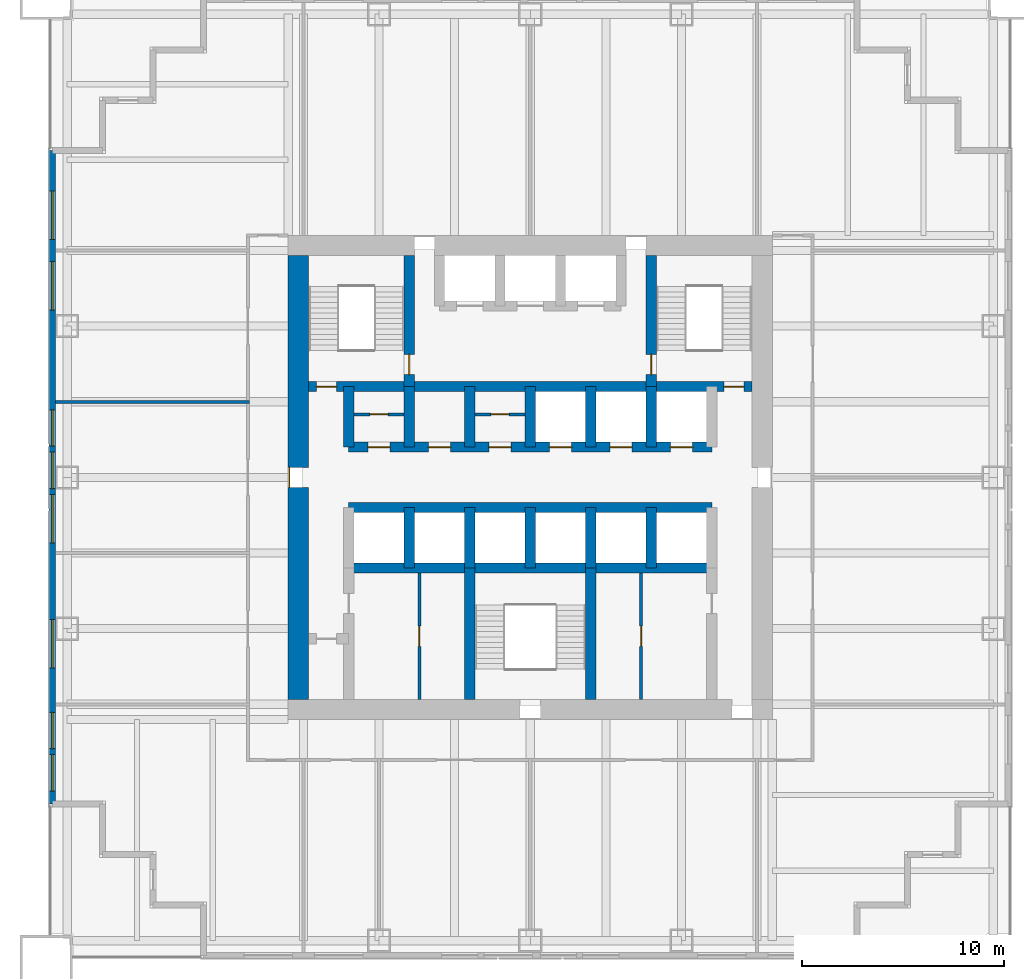
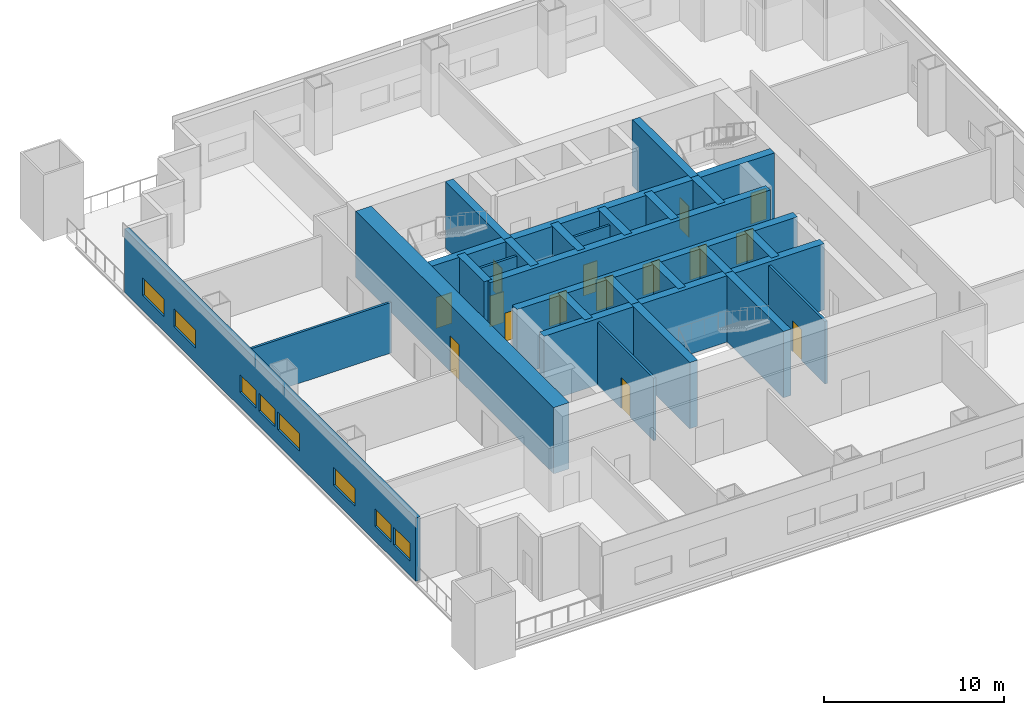
# One storey, part 3 of 7: 26 walls, 15 doors, 8 windows, 23 openings.
"""IFC4 building model written with IfcOpenShell, lengths in metres."""

from ifc_helpers import new_model, si_unit, direction, frame, frame_2d, origin, place, context, subcontext, project, spatial, rectangle, extrude, material, layer, layer_set, type_object, element, fill, save


model = new_model("IFC4")

# Units and contexts
model_context = context("Model", 3, precision=1e-05, world=origin(), true_north=direction((0.0, 1.0)))
body_context = subcontext(model_context, "Body", "Model", "MODEL_VIEW")
ifc_project = project(units=[si_unit("LENGTHUNIT", "METRE"), si_unit("AREAUNIT", "SQUARE_METRE"), si_unit("VOLUMEUNIT", "CUBIC_METRE"), si_unit("PLANEANGLEUNIT", "RADIAN"), si_unit("MASSUNIT", "GRAM", prefix="KILO")], contexts=[model_context])

# Site, building, storey
site_placement = place(None, origin())
site = spatial("IfcSite", under=ifc_project, at=site_placement, CompositionType="ELEMENT")
building_placement = place(site_placement, origin())
building = spatial("IfcBuilding", under=site, at=building_placement, Name="Tarangal Relay Tower", CompositionType="ELEMENT")
storey_placement = place(building_placement, frame((0.0, 0.0, 149.39990234375)))
storey = spatial("IfcBuildingStorey", under=building, at=storey_placement, Name="L30", CompositionType="ELEMENT", Elevation=149.39990234375)

# Wall, openings, doors
ifc_material_1 = material(Name="Concrete fc' 60 MPa", Category="concrete")
ifc_layer_1 = layer(ifc_material_1, 0.5)
ifc_layer_set_1 = layer_set([ifc_layer_1], Name="Core inner wall 500")
wall_type_1 = type_object("IfcWallType", Name="Core inner wall 500", PredefinedType="SHEAR", material=ifc_layer_set_1)
wall_1_placement = place(storey_placement, frame((-11.0, 4.5, 0.0), z_axis=(0.0, 0.0, 1.0), x_axis=(1.0, 0.0, 0.0)))
wall_1 = element("IfcWall", 1, at=wall_1_placement, inside=storey, type_object=wall_type_1, Name="Core wall Y45 L30", PredefinedType="SHEAR", context=body_context, shape_type="SweptSolid", body=[
    extrude(rectangle(XDim=22.0, YDim=0.5, at=frame_2d((11.0, 0.0))), origin(), (0.0, 0.0, 1.0), 4.5),
])
opening_1_placement = place(wall_1_placement, frame((0.39990234375, 0.0, 0.0)))
opening_1 = element("IfcOpeningElement", 2, at=opening_1_placement, cuts=wall_1, Name="Opening FD1", PredefinedType="OPENING", context=body_context, shape_type="SweptSolid", body=[
    extrude(rectangle(XDim=1.0, YDim=2.10009765625, at=frame_2d((0.5, 1.050048828125))), frame((0.0, 0.260009765625, 0.0), z_axis=(0.0, -1.0, 0.0), x_axis=(1.0, 0.0, 0.0)), (0.0, 0.0, 1.0), 0.52001953125),
])
opening_2_placement = place(wall_1_placement, frame((20.60009765625, 0.0, 0.0)))
opening_2 = element("IfcOpeningElement", 3, at=opening_2_placement, cuts=wall_1, Name="Opening FD1", PredefinedType="OPENING", context=body_context, shape_type="SweptSolid", body=[
    extrude(rectangle(XDim=1.0, YDim=2.10009765625, at=frame_2d((0.5, 1.050048828125))), frame((0.0, 0.260009765625, 0.0), z_axis=(0.0, -1.0, 0.0), x_axis=(1.0, 0.0, 0.0)), (0.0, 0.0, 1.0), 0.52001953125),
])
ifc_material_2 = material(Name="Steel door with hardwood frame", Category="steel")
door_type_1 = type_object("IfcDoorType", Name="Fire door 1000 x 2100", OperationType="SINGLE_SWING_LEFT", PredefinedType="DOOR", material=ifc_material_2)
door_1_placement = place(opening_1_placement, origin())
door_1 = element("IfcDoor", 4, at=door_1_placement, inside=storey, type_object=door_type_1, Name="Stair ST-A door from corridor L30", OperationType="SINGLE_SWING_LEFT", OverallHeight=2.10009765625, OverallWidth=1.0, PredefinedType="DOOR", context=body_context, shape_type="SweptSolid", body=[
    extrude(rectangle(XDim=1.0, YDim=2.10009765625, at=frame_2d((0.5, 1.050048828125))), frame((0.0, 0.02490234375, 0.0), z_axis=(0.0, -1.0, 0.0), x_axis=(1.0, 0.0, 0.0)), (0.0, 0.0, 1.0), 0.050048828125),
])
fill(opening_1, door_1)
door_2_placement = place(opening_2_placement, origin())
door_2 = element("IfcDoor", 5, at=door_2_placement, inside=storey, type_object=door_type_1, Name="Stair ST-B door from corridor L30", OperationType="SINGLE_SWING_LEFT", OverallHeight=2.10009765625, OverallWidth=1.0, PredefinedType="DOOR", context=body_context, shape_type="SweptSolid", body=[
    extrude(rectangle(XDim=1.0, YDim=2.10009765625, at=frame_2d((0.5, 1.050048828125))), frame((0.0, 0.02490234375, 0.0), z_axis=(0.0, -1.0, 0.0), x_axis=(1.0, 0.0, 0.0)), (0.0, 0.0, 1.0), 0.050048828125),
])
fill(opening_2, door_2)

wall_2_placement = place(storey_placement, frame((-9.0, 1.5, 0.0), z_axis=(0.0, 0.0, 1.0), x_axis=(1.0, 0.0, 0.0)))
wall_2 = element("IfcWall", 6, at=wall_2_placement, inside=storey, type_object=wall_type_1, Name="Core wall Y15 L30", PredefinedType="SHEAR", context=body_context, shape_type="SweptSolid", body=[
    extrude(rectangle(XDim=18.0, YDim=0.5, at=frame_2d((9.0, 0.0))), origin(), (0.0, 0.0, 1.0), 4.5),
])
opening_3_placement = place(wall_2_placement, frame((9.949951171875, 0.0, 0.0)))
opening_3 = element("IfcOpeningElement", 7, at=opening_3_placement, cuts=wall_2, Name="Opening LD1", PredefinedType="OPENING", context=body_context, shape_type="SweptSolid", body=[
    extrude(rectangle(XDim=1.10009765625, YDim=2.10009765625, at=frame_2d((0.550048828125, 1.050048828125))), frame((0.0, 0.260009765625, 0.0), z_axis=(0.0, -1.0, 0.0), x_axis=(1.0, 0.0, 0.0)), (0.0, 0.0, 1.0), 0.52001953125),
])
opening_4_placement = place(wall_2_placement, frame((12.949951171875, 0.0, 0.0)))
opening_4 = element("IfcOpeningElement", 8, at=opening_4_placement, cuts=wall_2, Name="Opening LD1", PredefinedType="OPENING", context=body_context, shape_type="SweptSolid", body=[
    extrude(rectangle(XDim=1.10009765625, YDim=2.10009765625, at=frame_2d((0.550048828125, 1.050048828125))), frame((0.0, 0.260009765625, 0.0), z_axis=(0.0, -1.0, 0.0), x_axis=(1.0, 0.0, 0.0)), (0.0, 0.0, 1.0), 0.52001953125),
])
opening_5_placement = place(wall_2_placement, frame((15.949951171875, 0.0, 0.0)))
opening_5 = element("IfcOpeningElement", 9, at=opening_5_placement, cuts=wall_2, Name="Opening LD1", PredefinedType="OPENING", context=body_context, shape_type="SweptSolid", body=[
    extrude(rectangle(XDim=1.10009765625, YDim=2.10009765625, at=frame_2d((0.550048828125, 1.050048828125))), frame((0.0, 0.260009765625, 0.0), z_axis=(0.0, -1.0, 0.0), x_axis=(1.0, 0.0, 0.0)), (0.0, 0.0, 1.0), 0.52001953125),
])
opening_6_placement = place(wall_2_placement, frame((0.949951171875, 0.0, 0.0)))
opening_6 = element("IfcOpeningElement", 10, at=opening_6_placement, cuts=wall_2, Name="Opening D4", PredefinedType="OPENING", context=body_context, shape_type="SweptSolid", body=[
    extrude(rectangle(XDim=1.10009765625, YDim=2.10009765625, at=frame_2d((0.550048828125, 1.050048828125))), frame((0.0, 0.260009765625, 0.0), z_axis=(0.0, -1.0, 0.0), x_axis=(1.0, 0.0, 0.0)), (0.0, 0.0, 1.0), 0.52001953125),
])
opening_7_placement = place(wall_2_placement, frame((3.949951171875, 0.0, 0.0)))
opening_7 = element("IfcOpeningElement", 11, at=opening_7_placement, cuts=wall_2, Name="Opening D4", PredefinedType="OPENING", context=body_context, shape_type="SweptSolid", body=[
    extrude(rectangle(XDim=1.10009765625, YDim=2.10009765625, at=frame_2d((0.550048828125, 1.050048828125))), frame((0.0, 0.260009765625, 0.0), z_axis=(0.0, -1.0, 0.0), x_axis=(1.0, 0.0, 0.0)), (0.0, 0.0, 1.0), 0.52001953125),
])
opening_8_placement = place(wall_2_placement, frame((6.949951171875, 0.0, 0.0)))
opening_8 = element("IfcOpeningElement", 12, at=opening_8_placement, cuts=wall_2, Name="Opening D4", PredefinedType="OPENING", context=body_context, shape_type="SweptSolid", body=[
    extrude(rectangle(XDim=1.10009765625, YDim=2.10009765625, at=frame_2d((0.550048828125, 1.050048828125))), frame((0.0, 0.260009765625, 0.0), z_axis=(0.0, -1.0, 0.0), x_axis=(1.0, 0.0, 0.0)), (0.0, 0.0, 1.0), 0.52001953125),
])
door_type_2 = type_object("IfcDoorType", Name="Core room door 1100 x 2100", OperationType="SINGLE_SWING_RIGHT", PredefinedType="DOOR", material=ifc_material_2)
door_3_placement = place(opening_6_placement, origin())
door_3 = element("IfcDoor", 13, at=door_3_placement, inside=storey, type_object=door_type_2, Name="Door D4 to it room L30-D1", OperationType="SINGLE_SWING_RIGHT", OverallHeight=2.10009765625, OverallWidth=1.10009765625, PredefinedType="DOOR", context=body_context, shape_type="SweptSolid", body=[
    extrude(rectangle(XDim=1.10009765625, YDim=2.10009765625, at=frame_2d((0.550048828125, 1.050048828125))), frame((0.0, 0.02490234375, 0.0), z_axis=(0.0, -1.0, 0.0), x_axis=(1.0, 0.0, 0.0)), (0.0, 0.0, 1.0), 0.050048828125),
])
fill(opening_6, door_3)
door_4_placement = place(opening_7_placement, origin())
door_4 = element("IfcDoor", 14, at=door_4_placement, inside=storey, type_object=door_type_2, Name="Door D4 to back-of-house plant room L30-D2", OperationType="SINGLE_SWING_RIGHT", OverallHeight=2.10009765625, OverallWidth=1.10009765625, PredefinedType="DOOR", context=body_context, shape_type="SweptSolid", body=[
    extrude(rectangle(XDim=1.10009765625, YDim=2.10009765625, at=frame_2d((0.550048828125, 1.050048828125))), frame((0.0, 0.02490234375, 0.0), z_axis=(0.0, -1.0, 0.0), x_axis=(1.0, 0.0, 0.0)), (0.0, 0.0, 1.0), 0.050048828125),
])
fill(opening_7, door_4)
door_5_placement = place(opening_8_placement, origin())
door_5 = element("IfcDoor", 15, at=door_5_placement, inside=storey, type_object=door_type_2, Name="Door D4 to staff pantry L30-D3", OperationType="SINGLE_SWING_RIGHT", OverallHeight=2.10009765625, OverallWidth=1.10009765625, PredefinedType="DOOR", context=body_context, shape_type="SweptSolid", body=[
    extrude(rectangle(XDim=1.10009765625, YDim=2.10009765625, at=frame_2d((0.550048828125, 1.050048828125))), frame((0.0, 0.02490234375, 0.0), z_axis=(0.0, -1.0, 0.0), x_axis=(1.0, 0.0, 0.0)), (0.0, 0.0, 1.0), 0.050048828125),
])
fill(opening_8, door_5)
door_type_3 = type_object("IfcDoorType", Name="Lift landing door 1100 x 2100", OperationType="SLIDING_TO_LEFT", PredefinedType="DOOR", material=ifc_material_2)
door_6_placement = place(opening_3_placement, origin())
door_6 = element("IfcDoor", 16, at=door_6_placement, inside=storey, type_object=door_type_3, Name="Lift T1 landing door L30", OperationType="SLIDING_TO_LEFT", OverallHeight=2.10009765625, OverallWidth=1.10009765625, PredefinedType="DOOR", context=body_context, shape_type="SweptSolid", body=[
    extrude(rectangle(XDim=1.10009765625, YDim=2.10009765625, at=frame_2d((0.550048828125, 1.050048828125))), frame((0.0, 0.02490234375, 0.0), z_axis=(0.0, -1.0, 0.0), x_axis=(1.0, 0.0, 0.0)), (0.0, 0.0, 1.0), 0.050048828125),
])
fill(opening_3, door_6)
door_7_placement = place(opening_4_placement, origin())
door_7 = element("IfcDoor", 17, at=door_7_placement, inside=storey, type_object=door_type_3, Name="Lift T2 landing door L30", OperationType="SLIDING_TO_LEFT", OverallHeight=2.10009765625, OverallWidth=1.10009765625, PredefinedType="DOOR", context=body_context, shape_type="SweptSolid", body=[
    extrude(rectangle(XDim=1.10009765625, YDim=2.10009765625, at=frame_2d((0.550048828125, 1.050048828125))), frame((0.0, 0.02490234375, 0.0), z_axis=(0.0, -1.0, 0.0), x_axis=(1.0, 0.0, 0.0)), (0.0, 0.0, 1.0), 0.050048828125),
])
fill(opening_4, door_7)
door_8_placement = place(opening_5_placement, origin())
door_8 = element("IfcDoor", 18, at=door_8_placement, inside=storey, type_object=door_type_3, Name="Lift T3 landing door L30", OperationType="SLIDING_TO_LEFT", OverallHeight=2.10009765625, OverallWidth=1.10009765625, PredefinedType="DOOR", context=body_context, shape_type="SweptSolid", body=[
    extrude(rectangle(XDim=1.10009765625, YDim=2.10009765625, at=frame_2d((0.550048828125, 1.050048828125))), frame((0.0, 0.02490234375, 0.0), z_axis=(0.0, -1.0, 0.0), x_axis=(1.0, 0.0, 0.0)), (0.0, 0.0, 1.0), 0.050048828125),
])
fill(opening_5, door_8)

# Walls
for number, where, z_axis, x_axis, name in (
    (19, (-9.0, -1.5, 0.0), (0.0, 0.0, 1.0), (1.0, 0.0, 0.0), "Core wall YM15 L30"),
    (20, (-9.0, -4.5, 0.0), (0.0, 0.0, 1.0), (1.0, 0.0, 0.0), "Core wall YM45 L30"),
):
    element("IfcWall", number, at=place(storey_placement, frame(where, z_axis=z_axis, x_axis=x_axis)), inside=storey, type_object=wall_type_1, Name=name, PredefinedType="SHEAR", context=body_context, shape_type="SweptSolid", body=[
        extrude(rectangle(XDim=18.0, YDim=0.5, at=frame_2d((9.0, 0.0))), origin(), (0.0, 0.0, 1.0), 4.5),
    ])
for number, where, z_axis, x_axis, name in (
    (21, (-9.0, 1.5, 0.0), (0.0, 0.0, 1.0), (0.0, 1.0, 0.0), "Core wall XM9N L30"),
    (22, (-6.0, 1.5, 0.0), (0.0, 0.0, 1.0), (0.0, 1.0, 0.0), "Core wall XM6N L30"),
    (23, (-3.0, 1.5, 0.0), (0.0, 0.0, 1.0), (0.0, 1.0, 0.0), "Core wall XM3N L30"),
    (24, (0.0, 1.5, 0.0), (0.0, 0.0, 1.0), (0.0, 1.0, 0.0), "Core wall X0N L30"),
    (25, (3.0, 1.5, 0.0), (0.0, 0.0, 1.0), (0.0, 1.0, 0.0), "Core wall X3N L30"),
    (26, (6.0, 1.5, 0.0), (0.0, 0.0, 1.0), (0.0, 1.0, 0.0), "Core wall X6N L30"),
    (27, (-6.0, -4.5, 0.0), (0.0, 0.0, 1.0), (0.0, 1.0, 0.0), "Core wall XM6S L30"),
    (28, (-3.0, -4.5, 0.0), (0.0, 0.0, 1.0), (0.0, 1.0, 0.0), "Core wall XM3S L30"),
    (29, (0.0, -4.5, 0.0), (0.0, 0.0, 1.0), (0.0, 1.0, 0.0), "Core wall X0S L30"),
    (30, (3.0, -4.5, 0.0), (0.0, 0.0, 1.0), (0.0, 1.0, 0.0), "Core wall X3S L30"),
    (31, (6.0, -4.5, 0.0), (0.0, 0.0, 1.0), (0.0, 1.0, 0.0), "Core wall X6S L30"),
):
    element("IfcWall", number, at=place(storey_placement, frame(where, z_axis=z_axis, x_axis=x_axis)), inside=storey, type_object=wall_type_1, Name=name, PredefinedType="SHEAR", context=body_context, shape_type="SweptSolid", body=[
        extrude(rectangle(XDim=3.0, YDim=0.5, at=frame_2d((1.5, 0.0))), origin(), (0.0, 0.0, 1.0), 4.5),
    ])

# Wall, opening, door
wall_3_placement = place(storey_placement, frame((-6.0, 4.5, 0.0), z_axis=(0.0, 0.0, 1.0), x_axis=(0.0, 1.0, 0.0)))
wall_3 = element("IfcWall", 32, at=wall_3_placement, inside=storey, type_object=wall_type_1, Name="Core wall XM6 L30", PredefinedType="SHEAR", context=body_context, shape_type="SweptSolid", body=[
    extrude(rectangle(XDim=6.5, YDim=0.5, at=frame_2d((3.25, 0.0))), origin(), (0.0, 0.0, 1.0), 4.5),
])
opening_9_placement = place(wall_3_placement, frame((0.60009765625, 0.0, 0.0)))
opening_9 = element("IfcOpeningElement", 33, at=opening_9_placement, cuts=wall_3, Name="Opening FD1", PredefinedType="OPENING", context=body_context, shape_type="SweptSolid", body=[
    extrude(rectangle(XDim=1.0, YDim=2.10009765625, at=frame_2d((0.5, 1.050048828125))), frame((0.0, 0.260009765625, 0.0), z_axis=(0.0, -1.0, 0.0), x_axis=(1.0, 0.0, 0.0)), (0.0, 0.0, 1.0), 0.52001953125),
])
door_9_placement = place(opening_9_placement, origin())
door_9 = element("IfcDoor", 34, at=door_9_placement, inside=storey, type_object=door_type_1, Name="Stair ST-A door from fire-fighting lobby L30", OperationType="SINGLE_SWING_LEFT", OverallHeight=2.10009765625, OverallWidth=1.0, PredefinedType="DOOR", context=body_context, shape_type="SweptSolid", body=[
    extrude(rectangle(XDim=1.0, YDim=2.10009765625, at=frame_2d((0.5, 1.050048828125))), frame((0.0, 0.02490234375, 0.0), z_axis=(0.0, -1.0, 0.0), x_axis=(1.0, 0.0, 0.0)), (0.0, 0.0, 1.0), 0.050048828125),
])
fill(opening_9, door_9)

wall_4_placement = place(storey_placement, frame((6.0, 4.5, 0.0), z_axis=(0.0, 0.0, 1.0), x_axis=(0.0, 1.0, 0.0)))
wall_4 = element("IfcWall", 35, at=wall_4_placement, inside=storey, type_object=wall_type_1, Name="Core wall X6 L30", PredefinedType="SHEAR", context=body_context, shape_type="SweptSolid", body=[
    extrude(rectangle(XDim=6.5, YDim=0.5, at=frame_2d((3.25, 0.0))), origin(), (0.0, 0.0, 1.0), 4.5),
])
opening_10_placement = place(wall_4_placement, frame((0.60009765625, 0.0, 0.0)))
opening_10 = element("IfcOpeningElement", 36, at=opening_10_placement, cuts=wall_4, Name="Opening FD1", PredefinedType="OPENING", context=body_context, shape_type="SweptSolid", body=[
    extrude(rectangle(XDim=1.0, YDim=2.10009765625, at=frame_2d((0.5, 1.050048828125))), frame((0.0, 0.260009765625, 0.0), z_axis=(0.0, -1.0, 0.0), x_axis=(1.0, 0.0, 0.0)), (0.0, 0.0, 1.0), 0.52001953125),
])
door_10_placement = place(opening_10_placement, origin())
door_10 = element("IfcDoor", 37, at=door_10_placement, inside=storey, type_object=door_type_1, Name="Stair ST-B door from fire-fighting lobby L30", OperationType="SINGLE_SWING_LEFT", OverallHeight=2.10009765625, OverallWidth=1.0, PredefinedType="DOOR", context=body_context, shape_type="SweptSolid", body=[
    extrude(rectangle(XDim=1.0, YDim=2.10009765625, at=frame_2d((0.5, 1.050048828125))), frame((0.0, 0.02490234375, 0.0), z_axis=(0.0, -1.0, 0.0), x_axis=(1.0, 0.0, 0.0)), (0.0, 0.0, 1.0), 0.050048828125),
])
fill(opening_10, door_10)

# Walls
for number, where, z_axis, x_axis, name in (
    (38, (-3.0, -11.0, 0.0), (0.0, 0.0, 1.0), (0.0, 1.0, 0.0), "Core wall XM3W L30"),
    (39, (3.0, -11.0, 0.0), (0.0, 0.0, 1.0), (0.0, 1.0, 0.0), "Core wall X3W L30"),
):
    element("IfcWall", number, at=place(storey_placement, frame(where, z_axis=z_axis, x_axis=x_axis)), inside=storey, type_object=wall_type_1, Name=name, PredefinedType="SHEAR", context=body_context, shape_type="SweptSolid", body=[
        extrude(rectangle(XDim=6.5, YDim=0.5, at=frame_2d((3.25, 0.0))), origin(), (0.0, 0.0, 1.0), 4.5),
    ])

# Wall, opening, door
ifc_layer_2 = layer(ifc_material_1, 1.0)
ifc_layer_set_2 = layer_set([ifc_layer_2], Name="Core wall 1000")
wall_type_2 = type_object("IfcWallType", Name="Core wall 1000", PredefinedType="SHEAR", material=ifc_layer_set_2)
wall_5_placement = place(storey_placement, frame((-11.5, -11.0, 0.0), z_axis=(0.0, 0.0, 1.0), x_axis=(0.0, 1.0, 0.0)))
wall_5 = element("IfcWall", 40, at=wall_5_placement, inside=storey, type_object=wall_type_2, Name="Core wall W L30", PredefinedType="SHEAR", context=body_context, shape_type="SweptSolid", body=[
    extrude(rectangle(XDim=22.0, YDim=1.0, at=frame_2d((11.0, 0.0))), origin(), (0.0, 0.0, 1.0), 4.5),
])
opening_11_placement = place(wall_5_placement, frame((10.5, 0.0, 0.0)))
opening_11 = element("IfcOpeningElement", 41, at=opening_11_placement, cuts=wall_5, Name="Opening FD3", PredefinedType="OPENING", context=body_context, shape_type="SweptSolid", body=[
    extrude(rectangle(XDim=1.0, YDim=2.39990234375, at=frame_2d((0.5, 1.199951171875))), frame((0.0, 0.510009765625, 0.0), z_axis=(0.0, -1.0, 0.0), x_axis=(1.0, 0.0, 0.0)), (0.0, 0.0, 1.0), 1.02001953125),
])
door_type_4 = type_object("IfcDoorType", Name="Fire door 1000 x 2400 core entry", OperationType="SINGLE_SWING_RIGHT", PredefinedType="DOOR", material=ifc_material_2)
door_11_placement = place(opening_11_placement, origin())
door_11 = element("IfcDoor", 42, at=door_11_placement, inside=storey, type_object=door_type_4, Name="Core entry door west L30", OperationType="SINGLE_SWING_RIGHT", OverallHeight=2.39990234375, OverallWidth=1.0, PredefinedType="DOOR", context=body_context, shape_type="SweptSolid", body=[
    extrude(rectangle(XDim=1.0, YDim=2.39990234375, at=frame_2d((0.5, 1.199951171875))), frame((0.0, 0.48486328125, 0.0), z_axis=(0.0, -1.0, 0.0), x_axis=(1.0, 0.0, 0.0)), (0.0, 0.0, 1.0), 0.050048828125),
])
fill(opening_11, door_11)

# Wall, openings, windows
ifc_material_3 = material(Name="Insulated precast concrete fc' 40 MPa", Category="concrete")
ifc_layer_3 = layer(ifc_material_3, 0.300048828125)
ifc_layer_set_3 = layer_set([ifc_layer_3], Name="Insulated precast concrete fc' 40 MPa")
wall_type_3 = type_object("IfcWallType", Name="Facade wall precast 300", PredefinedType="SOLIDWALL", material=ifc_layer_set_3)
wall_6_placement = place(storey_placement, frame((-23.699951171875, -16.199951171875, 0.0), z_axis=(0.0, 0.0, 1.0), x_axis=(0.0, 1.0, 0.0)))
wall_6 = element("IfcWall", 43, at=wall_6_placement, inside=storey, type_object=wall_type_3, Name="Facade wall W facade L30", PredefinedType="SOLIDWALL", context=body_context, shape_type="SweptSolid", body=[
    extrude(rectangle(XDim=32.39990234375, YDim=0.300048828125, at=frame_2d((16.199951171875, 0.0))), origin(), (0.0, 0.0, 1.0), 4.300048828125),
])
opening_12_placement = place(wall_6_placement, frame((0.64990234375, 0.0, 1.0)))
opening_12 = element("IfcOpeningElement", 44, at=opening_12_placement, cuts=wall_6, Name="Opening WN5", PredefinedType="OPENING", context=body_context, shape_type="SweptSolid", body=[
    extrude(rectangle(XDim=1.800048828125, YDim=1.199951171875, at=frame_2d((0.89990234375, 0.60009765625))), frame((0.0, 0.159912109375, 0.0), z_axis=(0.0, -1.0, 0.0), x_axis=(1.0, 0.0, 0.0)), (0.0, 0.0, 1.0), 0.320068359375),
])
opening_13_placement = place(wall_6_placement, frame((2.75, 0.0, 1.0)))
opening_13 = element("IfcOpeningElement", 45, at=opening_13_placement, cuts=wall_6, Name="Opening WN5", PredefinedType="OPENING", context=body_context, shape_type="SweptSolid", body=[
    extrude(rectangle(XDim=1.800048828125, YDim=1.199951171875, at=frame_2d((0.89990234375, 0.60009765625))), frame((0.0, 0.159912109375, 0.0), z_axis=(0.0, -1.0, 0.0), x_axis=(1.0, 0.0, 0.0)), (0.0, 0.0, 1.0), 0.320068359375),
])
opening_14_placement = place(wall_6_placement, frame((6.75, 0.0, 1.0)))
opening_14 = element("IfcOpeningElement", 46, at=opening_14_placement, cuts=wall_6, Name="Opening WN1", PredefinedType="OPENING", context=body_context, shape_type="SweptSolid", body=[
    extrude(rectangle(XDim=2.39990234375, YDim=1.199951171875, at=frame_2d((1.199951171875, 0.60009765625))), frame((0.0, 0.159912109375, 0.0), z_axis=(0.0, -1.0, 0.0), x_axis=(1.0, 0.0, 0.0)), (0.0, 0.0, 1.0), 0.320068359375),
])
opening_15_placement = place(wall_6_placement, frame((12.949951171875, 0.0, 1.0)))
opening_15 = element("IfcOpeningElement", 47, at=opening_15_placement, cuts=wall_6, Name="Opening WN1", PredefinedType="OPENING", context=body_context, shape_type="SweptSolid", body=[
    extrude(rectangle(XDim=2.39990234375, YDim=1.199951171875, at=frame_2d((1.199951171875, 0.60009765625))), frame((0.0, 0.159912109375, 0.0), z_axis=(0.0, -1.0, 0.0), x_axis=(1.0, 0.0, 0.0)), (0.0, 0.0, 1.0), 0.320068359375),
])
opening_16_placement = place(wall_6_placement, frame((15.64990234375, 0.0, 1.0)))
opening_16 = element("IfcOpeningElement", 48, at=opening_16_placement, cuts=wall_6, Name="Opening WN5", PredefinedType="OPENING", context=body_context, shape_type="SweptSolid", body=[
    extrude(rectangle(XDim=1.800048828125, YDim=1.199951171875, at=frame_2d((0.89990234375, 0.60009765625))), frame((0.0, 0.159912109375, 0.0), z_axis=(0.0, -1.0, 0.0), x_axis=(1.0, 0.0, 0.0)), (0.0, 0.0, 1.0), 0.320068359375),
])
opening_17_placement = place(wall_6_placement, frame((17.75, 0.0, 1.0)))
opening_17 = element("IfcOpeningElement", 49, at=opening_17_placement, cuts=wall_6, Name="Opening WN5", PredefinedType="OPENING", context=body_context, shape_type="SweptSolid", body=[
    extrude(rectangle(XDim=1.800048828125, YDim=1.199951171875, at=frame_2d((0.89990234375, 0.60009765625))), frame((0.0, 0.159912109375, 0.0), z_axis=(0.0, -1.0, 0.0), x_axis=(1.0, 0.0, 0.0)), (0.0, 0.0, 1.0), 0.320068359375),
])
opening_18_placement = place(wall_6_placement, frame((24.5, 0.0, 1.0)))
opening_18 = element("IfcOpeningElement", 50, at=opening_18_placement, cuts=wall_6, Name="Opening WN1", PredefinedType="OPENING", context=body_context, shape_type="SweptSolid", body=[
    extrude(rectangle(XDim=2.39990234375, YDim=1.199951171875, at=frame_2d((1.199951171875, 0.60009765625))), frame((0.0, 0.159912109375, 0.0), z_axis=(0.0, -1.0, 0.0), x_axis=(1.0, 0.0, 0.0)), (0.0, 0.0, 1.0), 0.320068359375),
])
opening_19_placement = place(wall_6_placement, frame((28.0, 0.0, 1.0)))
opening_19 = element("IfcOpeningElement", 51, at=opening_19_placement, cuts=wall_6, Name="Opening WN1", PredefinedType="OPENING", context=body_context, shape_type="SweptSolid", body=[
    extrude(rectangle(XDim=2.39990234375, YDim=1.199951171875, at=frame_2d((1.199951171875, 0.60009765625))), frame((0.0, 0.159912109375, 0.0), z_axis=(0.0, -1.0, 0.0), x_axis=(1.0, 0.0, 0.0)), (0.0, 0.0, 1.0), 0.320068359375),
])
ifc_material_4 = material(Name="Dark tinted double glazing in black aluminium frame", Category="aluminium")
window_type_1 = type_object("IfcWindowType", Name="Ribbon window 1800 x 1200", PartitioningType="SINGLE_PANEL", PredefinedType="WINDOW", material=ifc_material_4)
window_1_placement = place(opening_12_placement, origin())
window_1 = element("IfcWindow", 52, at=window_1_placement, inside=storey, type_object=window_type_1, Name="Ribbon window WN5 W facade L30", OverallHeight=1.199951171875, OverallWidth=1.800048828125, PartitioningType="SINGLE_PANEL", PredefinedType="WINDOW", context=body_context, shape_type="SweptSolid", body=[
    extrude(rectangle(XDim=1.800048828125, YDim=1.199951171875, at=frame_2d((0.89990234375, 0.60009765625))), frame((0.0, 0.030029296875, 0.0), z_axis=(0.0, -1.0, 0.0), x_axis=(1.0, 0.0, 0.0)), (0.0, 0.0, 1.0), 0.06005859375),
])
fill(opening_12, window_1)
window_2_placement = place(opening_13_placement, origin())
window_2 = element("IfcWindow", 53, at=window_2_placement, inside=storey, type_object=window_type_1, Name="Ribbon window WN5 W facade L30", OverallHeight=1.199951171875, OverallWidth=1.800048828125, PartitioningType="SINGLE_PANEL", PredefinedType="WINDOW", context=body_context, shape_type="SweptSolid", body=[
    extrude(rectangle(XDim=1.800048828125, YDim=1.199951171875, at=frame_2d((0.89990234375, 0.60009765625))), frame((0.0, 0.030029296875, 0.0), z_axis=(0.0, -1.0, 0.0), x_axis=(1.0, 0.0, 0.0)), (0.0, 0.0, 1.0), 0.06005859375),
])
fill(opening_13, window_2)
window_3_placement = place(opening_16_placement, origin())
window_3 = element("IfcWindow", 54, at=window_3_placement, inside=storey, type_object=window_type_1, Name="Ribbon window WN5 W facade L30", OverallHeight=1.199951171875, OverallWidth=1.800048828125, PartitioningType="SINGLE_PANEL", PredefinedType="WINDOW", context=body_context, shape_type="SweptSolid", body=[
    extrude(rectangle(XDim=1.800048828125, YDim=1.199951171875, at=frame_2d((0.89990234375, 0.60009765625))), frame((0.0, 0.030029296875, 0.0), z_axis=(0.0, -1.0, 0.0), x_axis=(1.0, 0.0, 0.0)), (0.0, 0.0, 1.0), 0.06005859375),
])
fill(opening_16, window_3)
window_4_placement = place(opening_17_placement, origin())
window_4 = element("IfcWindow", 55, at=window_4_placement, inside=storey, type_object=window_type_1, Name="Ribbon window WN5 W facade L30", OverallHeight=1.199951171875, OverallWidth=1.800048828125, PartitioningType="SINGLE_PANEL", PredefinedType="WINDOW", context=body_context, shape_type="SweptSolid", body=[
    extrude(rectangle(XDim=1.800048828125, YDim=1.199951171875, at=frame_2d((0.89990234375, 0.60009765625))), frame((0.0, 0.030029296875, 0.0), z_axis=(0.0, -1.0, 0.0), x_axis=(1.0, 0.0, 0.0)), (0.0, 0.0, 1.0), 0.06005859375),
])
fill(opening_17, window_4)
window_type_2 = type_object("IfcWindowType", Name="Ribbon window 2400 x 1200", PartitioningType="SINGLE_PANEL", PredefinedType="WINDOW", material=ifc_material_4)
window_5_placement = place(opening_14_placement, origin())
window_5 = element("IfcWindow", 56, at=window_5_placement, inside=storey, type_object=window_type_2, Name="Ribbon window WN1 W facade L30", OverallHeight=1.199951171875, OverallWidth=2.39990234375, PartitioningType="SINGLE_PANEL", PredefinedType="WINDOW", context=body_context, shape_type="SweptSolid", body=[
    extrude(rectangle(XDim=2.39990234375, YDim=1.199951171875, at=frame_2d((1.199951171875, 0.60009765625))), frame((0.0, 0.030029296875, 0.0), z_axis=(0.0, -1.0, 0.0), x_axis=(1.0, 0.0, 0.0)), (0.0, 0.0, 1.0), 0.06005859375),
])
fill(opening_14, window_5)
window_6_placement = place(opening_15_placement, origin())
window_6 = element("IfcWindow", 57, at=window_6_placement, inside=storey, type_object=window_type_2, Name="Ribbon window WN1 W facade L30", OverallHeight=1.199951171875, OverallWidth=2.39990234375, PartitioningType="SINGLE_PANEL", PredefinedType="WINDOW", context=body_context, shape_type="SweptSolid", body=[
    extrude(rectangle(XDim=2.39990234375, YDim=1.199951171875, at=frame_2d((1.199951171875, 0.60009765625))), frame((0.0, 0.030029296875, 0.0), z_axis=(0.0, -1.0, 0.0), x_axis=(1.0, 0.0, 0.0)), (0.0, 0.0, 1.0), 0.06005859375),
])
fill(opening_15, window_6)
window_7_placement = place(opening_18_placement, origin())
window_7 = element("IfcWindow", 58, at=window_7_placement, inside=storey, type_object=window_type_2, Name="Ribbon window WN1 W facade L30", OverallHeight=1.199951171875, OverallWidth=2.39990234375, PartitioningType="SINGLE_PANEL", PredefinedType="WINDOW", context=body_context, shape_type="SweptSolid", body=[
    extrude(rectangle(XDim=2.39990234375, YDim=1.199951171875, at=frame_2d((1.199951171875, 0.60009765625))), frame((0.0, 0.030029296875, 0.0), z_axis=(0.0, -1.0, 0.0), x_axis=(1.0, 0.0, 0.0)), (0.0, 0.0, 1.0), 0.06005859375),
])
fill(opening_18, window_7)
window_8_placement = place(opening_19_placement, origin())
window_8 = element("IfcWindow", 59, at=window_8_placement, inside=storey, type_object=window_type_2, Name="Ribbon window WN1 W facade L30", OverallHeight=1.199951171875, OverallWidth=2.39990234375, PartitioningType="SINGLE_PANEL", PredefinedType="WINDOW", context=body_context, shape_type="SweptSolid", body=[
    extrude(rectangle(XDim=2.39990234375, YDim=1.199951171875, at=frame_2d((1.199951171875, 0.60009765625))), frame((0.0, 0.030029296875, 0.0), z_axis=(0.0, -1.0, 0.0), x_axis=(1.0, 0.0, 0.0)), (0.0, 0.0, 1.0), 0.06005859375),
])
fill(opening_19, window_8)

# Wall
ifc_material_5 = material(Name="Gypsum board on steel studs", Category="steel")
ifc_layer_4 = layer(ifc_material_5, 0.14990234375)
ifc_layer_set_4 = layer_set([ifc_layer_4], Name="Partition 150")
wall_type_4 = type_object("IfcWallType", Name="Partition 150", PredefinedType="PARTITIONING", material=ifc_layer_set_4)
wall_7_placement = place(storey_placement, frame((-23.550048828125, 3.75, 0.0), z_axis=(0.0, 0.0, 1.0), x_axis=(1.0, 0.0, 0.0)))
element("IfcWall", 60, at=wall_7_placement, inside=storey, type_object=wall_type_4, Name="Partition PT1 L30", PredefinedType="PARTITIONING", context=body_context, shape_type="SweptSolid", body=[
    extrude(rectangle(XDim=9.625, YDim=0.14990234375, at=frame_2d((4.8125, 0.0))), origin(), (0.0, 0.0, 1.0), 3.431396484375),
])

# Wall, opening, door
wall_8_placement = place(storey_placement, frame((-5.5, -11.0, 0.0), z_axis=(0.0, 0.0, 1.0), x_axis=(0.0, 1.0, 0.0)))
wall_8 = element("IfcWall", 61, at=wall_8_placement, inside=storey, type_object=wall_type_4, Name="Partition PT1 L30", PredefinedType="PARTITIONING", context=body_context, shape_type="SweptSolid", body=[
    extrude(rectangle(XDim=6.25, YDim=0.14990234375, at=frame_2d((3.125, 0.0))), origin(), (0.0, 0.0, 1.0), 4.25),
])
opening_20_placement = place(wall_8_placement, frame((2.625, 0.0, 0.0)))
opening_20 = element("IfcOpeningElement", 62, at=opening_20_placement, cuts=wall_8, Name="Opening D1", PredefinedType="OPENING", context=body_context, shape_type="SweptSolid", body=[
    extrude(rectangle(XDim=1.0, YDim=2.10009765625, at=frame_2d((0.5, 1.050048828125))), frame((0.0, 0.0849609375, 0.0), z_axis=(0.0, -1.0, 0.0), x_axis=(1.0, 0.0, 0.0)), (0.0, 0.0, 1.0), 0.169921875),
])
ifc_material_6 = material(Name="Hardwood door", Category="wood")
door_type_5 = type_object("IfcDoorType", Name="WC door 1000 x 2100", OperationType="SINGLE_SWING_LEFT", PredefinedType="DOOR", material=ifc_material_6)
door_12_placement = place(opening_20_placement, origin())
door_12 = element("IfcDoor", 63, at=door_12_placement, inside=storey, type_object=door_type_5, Name="Door D1 to male shower and changing room L30-C7B", OperationType="SINGLE_SWING_LEFT", OverallHeight=2.10009765625, OverallWidth=1.0, PredefinedType="DOOR", context=body_context, shape_type="SweptSolid", body=[
    extrude(rectangle(XDim=1.0, YDim=2.10009765625, at=frame_2d((0.5, 1.050048828125))), frame((0.0, 0.02490234375, 0.0), z_axis=(0.0, -1.0, 0.0), x_axis=(1.0, 0.0, 0.0)), (0.0, 0.0, 1.0), 0.050048828125),
])
fill(opening_20, door_12)

wall_9_placement = place(storey_placement, frame((5.5, -11.0, 0.0), z_axis=(0.0, 0.0, 1.0), x_axis=(0.0, 1.0, 0.0)))
wall_9 = element("IfcWall", 64, at=wall_9_placement, inside=storey, type_object=wall_type_4, Name="Partition PT1 L30", PredefinedType="PARTITIONING", context=body_context, shape_type="SweptSolid", body=[
    extrude(rectangle(XDim=6.25, YDim=0.14990234375, at=frame_2d((3.125, 0.0))), origin(), (0.0, 0.0, 1.0), 4.25),
])
opening_21_placement = place(wall_9_placement, frame((2.625, 0.0, 0.0)))
opening_21 = element("IfcOpeningElement", 65, at=opening_21_placement, cuts=wall_9, Name="Opening D1", PredefinedType="OPENING", context=body_context, shape_type="SweptSolid", body=[
    extrude(rectangle(XDim=1.0, YDim=2.10009765625, at=frame_2d((0.5, 1.050048828125))), frame((0.0, 0.0849609375, 0.0), z_axis=(0.0, -1.0, 0.0), x_axis=(1.0, 0.0, 0.0)), (0.0, 0.0, 1.0), 0.169921875),
])
door_13_placement = place(opening_21_placement, origin())
door_13 = element("IfcDoor", 66, at=door_13_placement, inside=storey, type_object=door_type_5, Name="Door D1 to female shower and changing room L30-C10B", OperationType="SINGLE_SWING_LEFT", OverallHeight=2.10009765625, OverallWidth=1.0, PredefinedType="DOOR", context=body_context, shape_type="SweptSolid", body=[
    extrude(rectangle(XDim=1.0, YDim=2.10009765625, at=frame_2d((0.5, 1.050048828125))), frame((0.0, 0.02490234375, 0.0), z_axis=(0.0, -1.0, 0.0), x_axis=(1.0, 0.0, 0.0)), (0.0, 0.0, 1.0), 0.050048828125),
])
fill(opening_21, door_13)

wall_10_placement = place(storey_placement, frame((-8.75, 3.125, 0.0), z_axis=(0.0, 0.0, 1.0), x_axis=(1.0, 0.0, 0.0)))
wall_10 = element("IfcWall", 67, at=wall_10_placement, inside=storey, type_object=wall_type_4, Name="Partition PT1 L30", PredefinedType="PARTITIONING", context=body_context, shape_type="SweptSolid", body=[
    extrude(rectangle(XDim=2.5, YDim=0.14990234375, at=frame_2d((1.25, 0.0))), origin(), (0.0, 0.0, 1.0), 4.25),
])
opening_22_placement = place(wall_10_placement, frame((0.800048828125, 0.0, 0.0)))
opening_22 = element("IfcOpeningElement", 68, at=opening_22_placement, cuts=wall_10, Name="Opening D5", PredefinedType="OPENING", context=body_context, shape_type="SweptSolid", body=[
    extrude(rectangle(XDim=0.89990234375, YDim=2.10009765625, at=frame_2d((0.449951171875, 1.050048828125))), frame((0.0, 0.0849609375, 0.0), z_axis=(0.0, -1.0, 0.0), x_axis=(1.0, 0.0, 0.0)), (0.0, 0.0, 1.0), 0.169921875),
])
door_type_6 = type_object("IfcDoorType", Name="Cupboard door 900 x 2100", OperationType="SINGLE_SWING_LEFT", PredefinedType="DOOR", material=ifc_material_6)
door_14_placement = place(opening_22_placement, origin())
door_14 = element("IfcDoor", 69, at=door_14_placement, inside=storey, type_object=door_type_6, Name="Door D5 to it patch cupboard L30-D1B", OperationType="SINGLE_SWING_LEFT", OverallHeight=2.10009765625, OverallWidth=0.89990234375, PredefinedType="DOOR", context=body_context, shape_type="SweptSolid", body=[
    extrude(rectangle(XDim=0.89990234375, YDim=2.10009765625, at=frame_2d((0.449951171875, 1.050048828125))), frame((0.0, 0.02490234375, 0.0), z_axis=(0.0, -1.0, 0.0), x_axis=(1.0, 0.0, 0.0)), (0.0, 0.0, 1.0), 0.050048828125),
])
fill(opening_22, door_14)

wall_11_placement = place(storey_placement, frame((-2.75, 3.125, 0.0), z_axis=(0.0, 0.0, 1.0), x_axis=(1.0, 0.0, 0.0)))
wall_11 = element("IfcWall", 70, at=wall_11_placement, inside=storey, type_object=wall_type_4, Name="Partition PT1 L30", PredefinedType="PARTITIONING", context=body_context, shape_type="SweptSolid", body=[
    extrude(rectangle(XDim=2.5, YDim=0.14990234375, at=frame_2d((1.25, 0.0))), origin(), (0.0, 0.0, 1.0), 4.25),
])
opening_23_placement = place(wall_11_placement, frame((0.800048828125, 0.0, 0.0)))
opening_23 = element("IfcOpeningElement", 71, at=opening_23_placement, cuts=wall_11, Name="Opening D5", PredefinedType="OPENING", context=body_context, shape_type="SweptSolid", body=[
    extrude(rectangle(XDim=0.89990234375, YDim=2.10009765625, at=frame_2d((0.449951171875, 1.050048828125))), frame((0.0, 0.0849609375, 0.0), z_axis=(0.0, -1.0, 0.0), x_axis=(1.0, 0.0, 0.0)), (0.0, 0.0, 1.0), 0.169921875),
])
door_15_placement = place(opening_23_placement, origin())
door_15 = element("IfcDoor", 72, at=door_15_placement, inside=storey, type_object=door_type_6, Name="Door D5 to pantry cupboard L30-D3B", OperationType="SINGLE_SWING_LEFT", OverallHeight=2.10009765625, OverallWidth=0.89990234375, PredefinedType="DOOR", context=body_context, shape_type="SweptSolid", body=[
    extrude(rectangle(XDim=0.89990234375, YDim=2.10009765625, at=frame_2d((0.449951171875, 1.050048828125))), frame((0.0, 0.02490234375, 0.0), z_axis=(0.0, -1.0, 0.0), x_axis=(1.0, 0.0, 0.0)), (0.0, 0.0, 1.0), 0.050048828125),
])
fill(opening_23, door_15)

save(model, "model.ifc")
